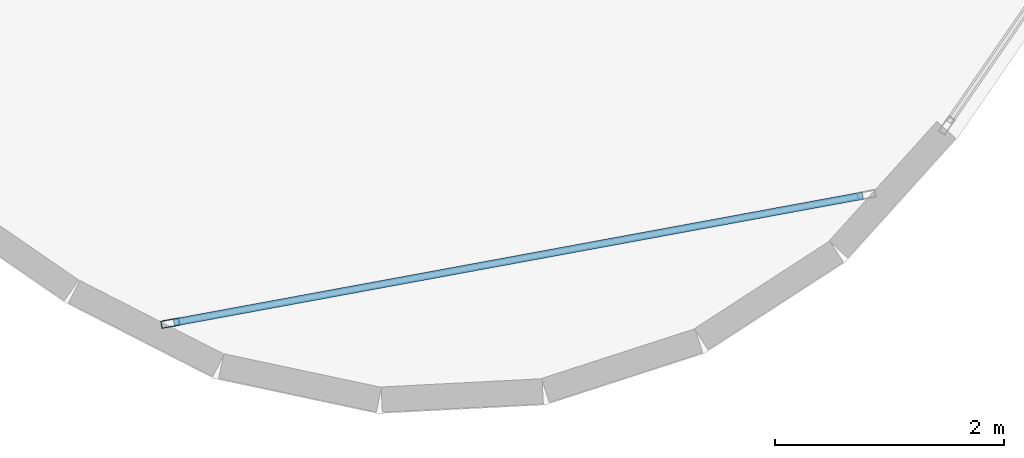
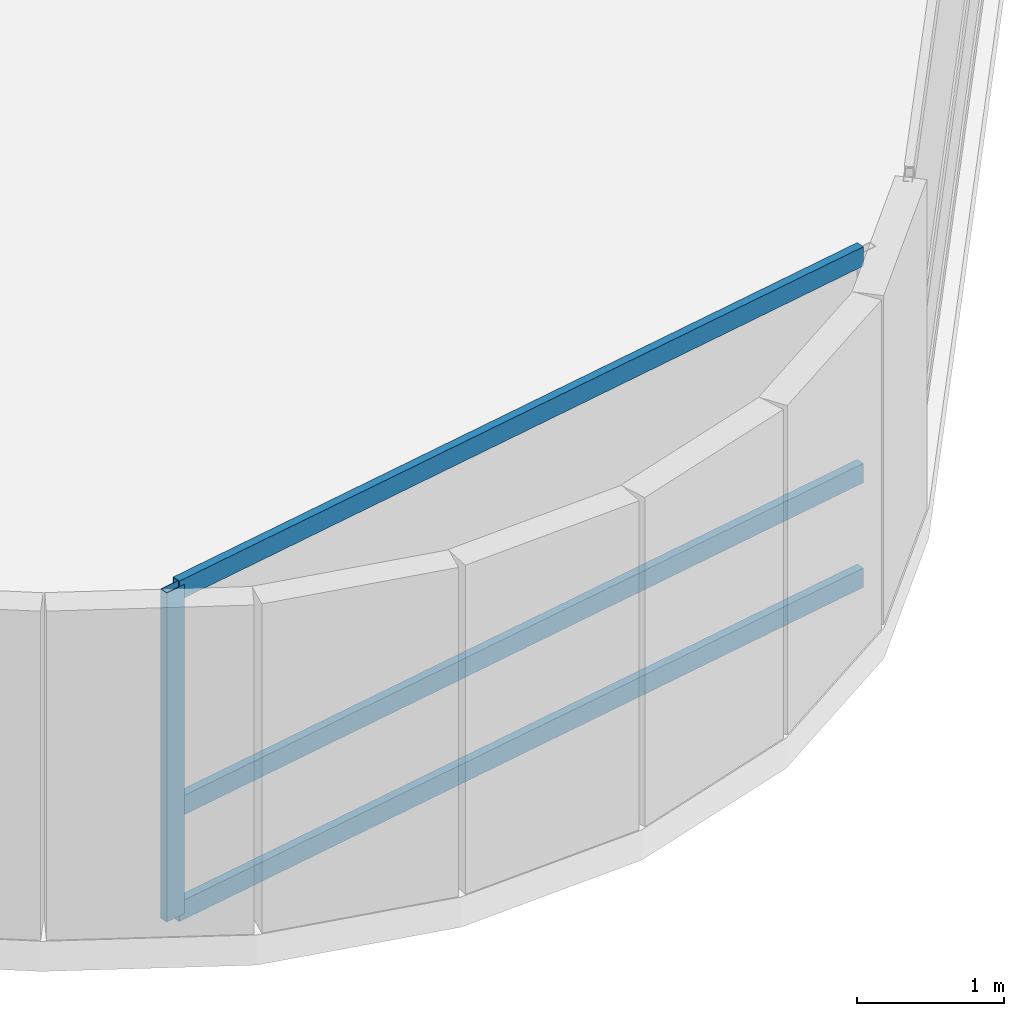
# One storey, part 2 of 27: 4 members, 1 element without a shape of its own.
"""IFC4 building model written with IfcOpenShell, lengths in metres."""

from ifc_helpers import new_model, si_unit, direction, frame, origin, origin_2d, place, context, subcontext, project, spatial, hollow_rectangle, extrude, material, layer, layer_set, material_profile, profile_set, type_object, element, aggregate, save


model = new_model("IFC4")

# Units and contexts
model_context = context("Model", 3, precision=1e-05, world=origin(), true_north=direction((0.0, 1.0)))
body_context = subcontext(model_context, "Body", "Model", "MODEL_VIEW")
ifc_project = project(units=[si_unit("LENGTHUNIT", "METRE"), si_unit("AREAUNIT", "SQUARE_METRE"), si_unit("VOLUMEUNIT", "CUBIC_METRE"), si_unit("PLANEANGLEUNIT", "RADIAN"), si_unit("MASSUNIT", "GRAM", prefix="KILO")], contexts=[model_context])

# Site, building, storey
site_placement = place(None, origin())
site = spatial("IfcSite", under=ifc_project, at=site_placement, CompositionType="ELEMENT")
building_placement = place(site_placement, origin())
building = spatial("IfcBuilding", under=site, at=building_placement, Name="Varnelok Gate Tower", CompositionType="ELEMENT")
storey_placement = place(building_placement, frame((0.0, 0.0, 30.699951171875)))
storey = spatial("IfcBuildingStorey", under=building, at=storey_placement, Name="L06", CompositionType="ELEMENT", Elevation=30.699951171875)

# Curtain wall, members
ifc_material = material(Name="Anodized Aluminum Alloy 6063-T6", Category="aluminium")
ifc_layer = layer(ifc_material, 0.179931640625)
ifc_layer_set = layer_set([ifc_layer], Name="Anodized Aluminum Alloy 6063-T6")
curtain_wall_type = type_object("IfcCurtainWallType", Name="CW5-WINDCORNER-GLAZ", PredefinedType="USERDEFINED", material=ifc_layer_set)
curtain_wall_placement = place(storey_placement, origin())
curtain_wall = element("IfcCurtainWall", 1, at=curtain_wall_placement, inside=storey, type_object=curtain_wall_type, Name="L06 Wind-Shaped Corner Curtain Wall SE", ObjectType="STRUCTURAL GLAZING", PredefinedType="USERDEFINED")
ifc_material_profile_1 = material_profile(ifc_material, hollow_rectangle(XDim=0.06494140625, YDim=0.159912109375, WallThickness=0.00390625, at=origin_2d()), Name="ALU160X65X4")
ifc_profile_set_1 = profile_set([ifc_material_profile_1], Name="Anodized Aluminum Alloy 6063-T6")
member_type_1 = type_object("IfcMemberType", Name="CW-MULL-160", PredefinedType="MULLION", material=ifc_profile_set_1)
member_1_placement = place(storey_placement, frame((53.441162109375, -14.778076171875, 0.0), z_axis=(0.0, 0.0, 1.0), x_axis=(-0.181203239917, 0.983445670001, 0.0)))
member_1 = element("IfcMember", 2, at=member_1_placement, type_object=member_type_1, Name="CW5 mullion 1", PredefinedType="MULLION", context=body_context, shape_type="SweptSolid", body=[
    extrude(hollow_rectangle(XDim=0.06494140625, YDim=0.159912109375, WallThickness=0.00390625, at=origin_2d()), origin(), (0.0, 0.0, 1.0), 2.72998046875),
])
ifc_material_profile_2 = material_profile(ifc_material, hollow_rectangle(XDim=0.06494140625, YDim=0.159912109375, WallThickness=0.00390625, at=origin_2d()), Name="ALU160X65X4")
ifc_profile_set_2 = profile_set([ifc_material_profile_2], Name="Anodized Aluminum Alloy 6063-T6")
member_type_2 = type_object("IfcMemberType", Name="CW-TRAN-160", PredefinedType="USERDEFINED", material=ifc_profile_set_2)
member_2_placement = place(storey_placement, frame((53.47314453125, -14.772216796875, 0.032470703125), z_axis=(0.983440439524, 0.181231625025, 0.0), x_axis=(-0.181231625025, 0.983440439524, 0.0)))
member_2 = element("IfcMember", 3, at=member_2_placement, type_object=member_type_2, Name="CW5 transom 1.1", ObjectType="TRANSOM", PredefinedType="USERDEFINED", context=body_context, shape_type="SweptSolid", body=[
    extrude(hollow_rectangle(XDim=0.06494140625, YDim=0.159912109375, WallThickness=0.00390625, at=origin_2d()), origin(), (0.0, 0.0, 1.0), 6.1064453125),
])
member_3_placement = place(storey_placement, frame((53.47314453125, -14.772216796875, 0.900146484375), z_axis=(0.983440439524, 0.181231625025, 0.0), x_axis=(-0.181231625025, 0.983440439524, 0.0)))
member_3 = element("IfcMember", 4, at=member_3_placement, type_object=member_type_2, Name="CW5 transom 1.2", ObjectType="TRANSOM", PredefinedType="USERDEFINED", context=body_context, shape_type="SweptSolid", body=[
    extrude(hollow_rectangle(XDim=0.06494140625, YDim=0.159912109375, WallThickness=0.00390625, at=origin_2d()), origin(), (0.0, 0.0, 1.0), 6.1064453125),
])
member_4_placement = place(storey_placement, frame((53.47314453125, -14.772216796875, 2.697509765625), z_axis=(0.983440439524, 0.181231625025, 0.0), x_axis=(-0.181231625025, 0.983440439524, 0.0)))
member_4 = element("IfcMember", 5, at=member_4_placement, type_object=member_type_2, Name="CW5 transom 1.3", ObjectType="TRANSOM", PredefinedType="USERDEFINED", context=body_context, shape_type="SweptSolid", body=[
    extrude(hollow_rectangle(XDim=0.06494140625, YDim=0.159912109375, WallThickness=0.00390625, at=origin_2d()), origin(), (0.0, 0.0, 1.0), 6.1064453125),
])
aggregate(curtain_wall, [member_1, member_2, member_3, member_4])

save(model, "model.ifc")
